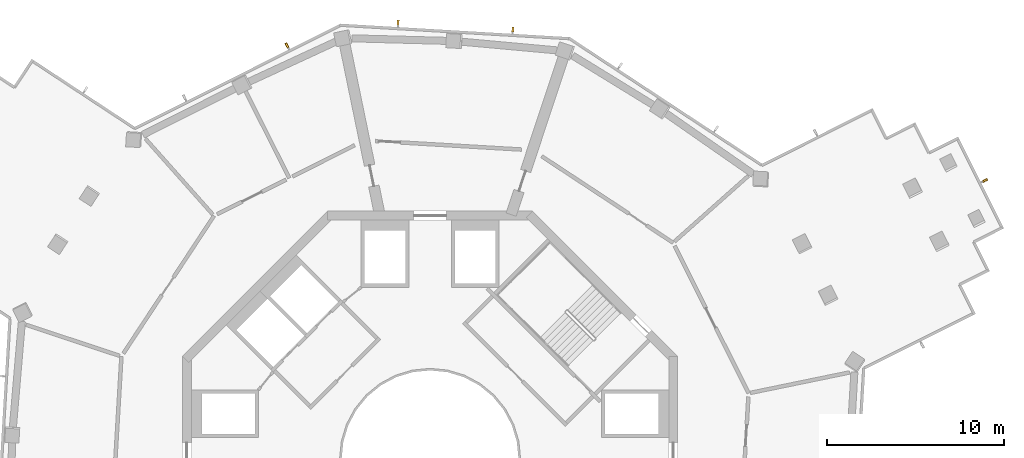
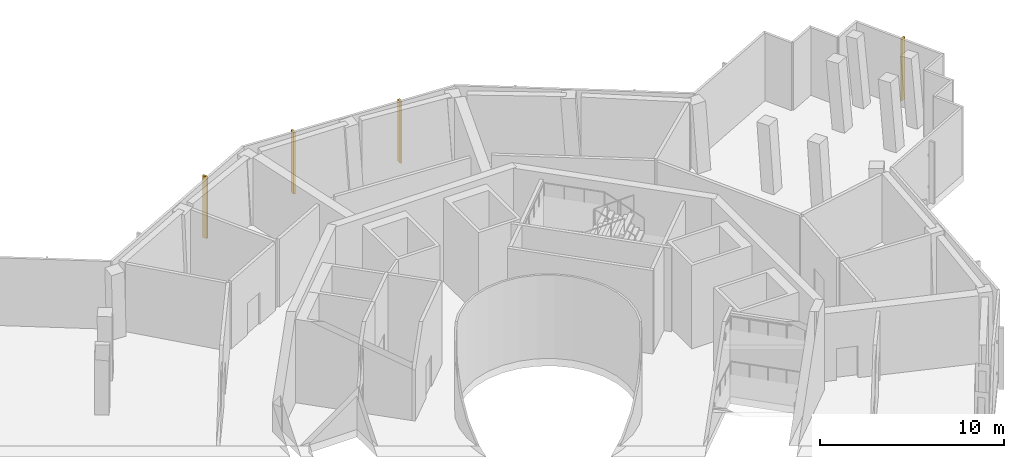
# One storey, part 16 of 16: 4 shading devices.
"""IFC4 building model written with IfcOpenShell, lengths in metres."""

from ifc_helpers import new_model, si_unit, direction, frame, origin, origin_2d, place, context, subcontext, project, spatial, rectangle, extrude, material, material_profile, profile_set, type_object, element, save


model = new_model("IFC4")

# Units and contexts
model_context = context("Model", 3, precision=1e-05, world=origin(), true_north=direction((0.0, 1.0)))
body_context = subcontext(model_context, "Body", "Model", "MODEL_VIEW")
ifc_project = project(units=[si_unit("LENGTHUNIT", "METRE"), si_unit("AREAUNIT", "SQUARE_METRE"), si_unit("VOLUMEUNIT", "CUBIC_METRE"), si_unit("PLANEANGLEUNIT", "RADIAN"), si_unit("MASSUNIT", "GRAM", prefix="KILO")], contexts=[model_context])

# Site, building, storey
site_placement = place(None, origin())
site = spatial("IfcSite", under=ifc_project, at=site_placement, CompositionType="ELEMENT")
building_placement = place(site_placement, origin())
building = spatial("IfcBuilding", under=site, at=building_placement, Name="Verdalira Terraces Hotel", CompositionType="ELEMENT")
storey_placement = place(building_placement, frame((0.0, 0.0, 263.0)))
storey = spatial("IfcBuildingStorey", under=building, at=storey_placement, Name="L65", CompositionType="ELEMENT", Elevation=263.0)

# Shading devices
ifc_material = material(Name="Terracotta frame", Category="masonry")
ifc_material_profile = material_profile(ifc_material, rectangle(XDim=0.120117, YDim=0.300049, at=origin_2d()), Name="FIN 120x300")
ifc_profile_set = profile_set([ifc_material_profile], Name="Terracotta frame")
shading_device_type = type_object("IfcShadingDeviceType", Name="Terracotta fin 120x300", PredefinedType="USERDEFINED", material=ifc_profile_set)
for number, where, z_axis, x_axis, name in (
    (1, (31.367676, 15.735107, 0.199951), (0.0, 0.0, 1.0), (-0.448383216, 0.893841424, 0.0), "Terracotta fin"),
    (2, (4.680908, 24.275635, 0.199951), (0.0, 0.0, 1.0), (-0.998280988, 0.058609456, 0.0), "Terracotta fin"),
    (3, (-1.808105, 24.656738, 0.199951), (0.0, 0.0, 1.0), (-0.998280988, 0.058609456, 0.0), "Terracotta fin"),
    (4, (-8.084229, 23.36377, 0.199951), (0.0, 0.0, 1.0), (-0.893841424, -0.448383216, 0.0), "Terracotta fin"),
):
    element("IfcShadingDevice", number, at=place(storey_placement, frame(where, z_axis=z_axis, x_axis=x_axis)), inside=storey, type_object=shading_device_type, Name=name, ObjectType="FIN", PredefinedType="USERDEFINED", context=body_context, shape_type="SweptSolid", body=[
        extrude(rectangle(XDim=0.120117, YDim=0.300049, at=origin_2d()), origin(), (0.0, 0.0, 1.0), 4.100098),
    ])

save(model, "model.ifc")
